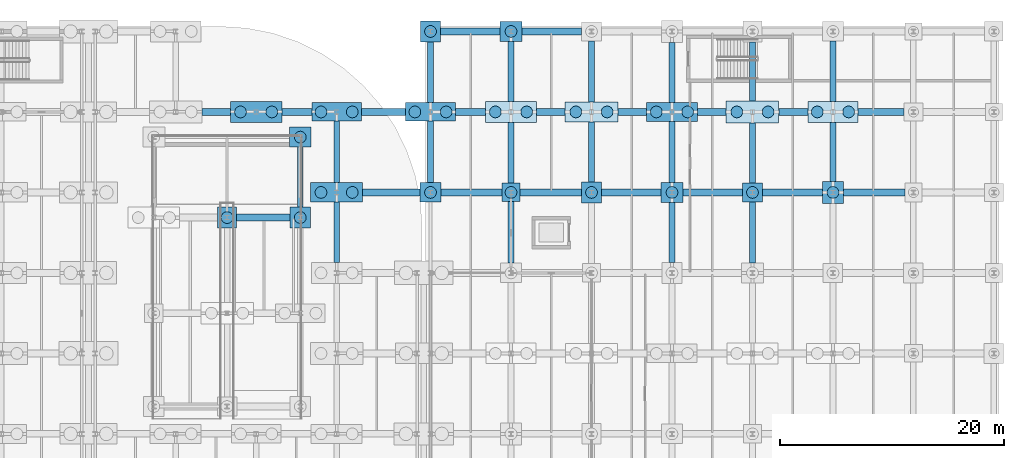
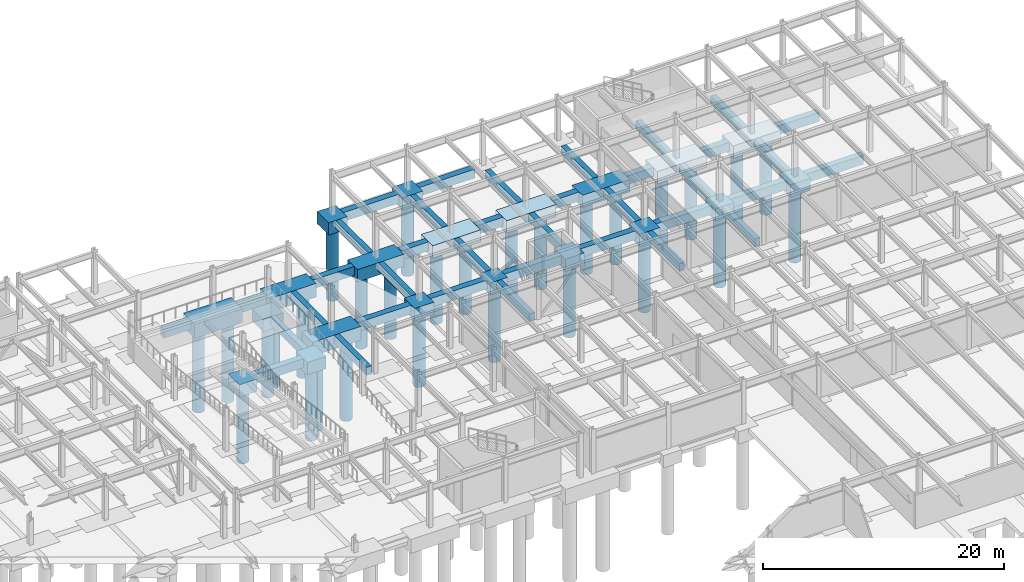
# One storey, part 13 of 54: 57 footings, 29 piles.
"""IFC4 building model written with IfcOpenShell, lengths in metres."""

from ifc_helpers import new_model, si_unit, direction, frame, origin, origin_2d, place, context, subcontext, project, spatial, polyline, rectangle, circle, outline, extrude, material, material_profile, profile_set, type_object, element, save


model = new_model("IFC4")

# Units and contexts
model_context = context("Model", 3, precision=1e-05, world=origin(), true_north=direction((0.0, 1.0)))
body_context = subcontext(model_context, "Body", "Model", "MODEL_VIEW")
ifc_project = project(units=[si_unit("LENGTHUNIT", "METRE"), si_unit("AREAUNIT", "SQUARE_METRE"), si_unit("VOLUMEUNIT", "CUBIC_METRE"), si_unit("PLANEANGLEUNIT", "RADIAN"), si_unit("MASSUNIT", "GRAM", prefix="KILO")], contexts=[model_context])

# Site, building, storey
site_placement = place(None, origin())
site = spatial("IfcSite", under=ifc_project, at=site_placement, CompositionType="ELEMENT")
building_placement = place(site_placement, origin())
building = spatial("IfcBuilding", under=site, at=building_placement, Name="Vaelcorin Mobility Hub", CompositionType="ELEMENT")
storey_placement = place(building_placement, frame((0.0, 0.0, -4.5)))
storey = spatial("IfcBuildingStorey", under=building, at=storey_placement, Name="B1", CompositionType="ELEMENT", Elevation=-4.5)

# Footings
ifc_material = material(Name="Concrete f'c 40 MPa", Category="concrete")
footing_type_1 = type_object("IfcFootingType", Name="FB-500X800", PredefinedType="FOOTING_BEAM", material=ifc_material)
footing_1_placement = place(storey_placement, frame((0.0, 0.0, -0.800048828125)))
element("IfcFooting", 1, at=footing_1_placement, inside=storey, type_object=footing_type_1, Name="Foundation Tie Beam FB-Y-368", PredefinedType="FOOTING_BEAM", context=body_context, shape_type="SweptSolid", body=[
    extrude(outline(polyline([(144.949951171875, 99.324951171875), (145.449951171875, 99.324951171875), (145.449951171875, 104.72509765625), (144.949951171875, 104.72509765625), (144.949951171875, 99.324951171875)])), origin(), (0.0, 0.0, 1.0), 0.800048828125),
])
footing_2_placement = place(storey_placement, frame((0.0, 0.0, -0.800048828125)))
element("IfcFooting", 2, at=footing_2_placement, inside=storey, type_object=footing_type_1, Name="Foundation Tie Beam FB-Y-369", PredefinedType="FOOTING_BEAM", context=body_context, shape_type="SweptSolid", body=[
    extrude(outline(polyline([(144.949951171875, 106.47509765625), (145.449951171875, 106.47509765625), (145.449951171875, 111.97509765625), (144.949951171875, 111.97509765625), (144.949951171875, 106.47509765625)])), origin(), (0.0, 0.0, 1.0), 0.800048828125),
])
footing_3_placement = place(storey_placement, frame((0.0, 0.0, -0.800048828125)))
element("IfcFooting", 3, at=footing_3_placement, inside=storey, type_object=footing_type_1, Name="Foundation Tie Beam FB-Y-380", PredefinedType="FOOTING_BEAM", context=body_context, shape_type="SweptSolid", body=[
    extrude(outline(polyline([(153.35009765625, 106.47509765625), (153.85009765625, 106.47509765625), (153.85009765625, 111.97509765625), (153.35009765625, 111.97509765625), (153.35009765625, 106.47509765625)])), origin(), (0.0, 0.0, 1.0), 0.800048828125),
])
footing_4_placement = place(storey_placement, frame((0.0, 0.0, -0.800048828125)))
element("IfcFooting", 4, at=footing_4_placement, inside=storey, type_object=footing_type_1, Name="Foundation Tie Beam FB-Y-381", PredefinedType="FOOTING_BEAM", context=body_context, shape_type="SweptSolid", body=[
    extrude(outline(polyline([(153.35009765625, 113.625), (153.85009765625, 113.625), (153.85009765625, 119.050048828125), (153.35009765625, 119.050048828125), (153.35009765625, 113.625)])), origin(), (0.0, 0.0, 1.0), 0.800048828125),
])
footing_5_placement = place(storey_placement, frame((0.0, 0.0, -0.800048828125)))
element("IfcFooting", 5, at=footing_5_placement, inside=storey, type_object=footing_type_1, Name="Foundation Tie Beam FB-Y-392", PredefinedType="FOOTING_BEAM", context=body_context, shape_type="SweptSolid", body=[
    extrude(outline(polyline([(160.550048828125, 99.27490234375), (161.050048828125, 99.27490234375), (161.050048828125, 104.77490234375), (160.550048828125, 104.77490234375), (160.550048828125, 99.27490234375)])), origin(), (0.0, 0.0, 1.0), 0.800048828125),
])
footing_6_placement = place(storey_placement, frame((0.0, 0.0, -0.800048828125)))
element("IfcFooting", 6, at=footing_6_placement, inside=storey, type_object=footing_type_1, Name="Foundation Tie Beam FB-Y-393", PredefinedType="FOOTING_BEAM", context=body_context, shape_type="SweptSolid", body=[
    extrude(outline(polyline([(160.550048828125, 106.425048828125), (161.050048828125, 106.425048828125), (161.050048828125, 111.85009765625), (160.550048828125, 111.85009765625), (160.550048828125, 106.425048828125)])), origin(), (0.0, 0.0, 1.0), 0.800048828125),
])
footing_7_placement = place(storey_placement, frame((0.0, 0.0, -0.800048828125)))
element("IfcFooting", 7, at=footing_7_placement, inside=storey, type_object=footing_type_1, Name="Foundation Tie Beam FB-Y-394", PredefinedType="FOOTING_BEAM", context=body_context, shape_type="SweptSolid", body=[
    extrude(outline(polyline([(160.550048828125, 113.75), (161.050048828125, 113.75), (161.050048828125, 119.10009765625), (160.550048828125, 119.10009765625), (160.550048828125, 113.75)])), origin(), (0.0, 0.0, 1.0), 0.800048828125),
])
footing_8_placement = place(storey_placement, frame((0.0, 0.0, -0.800048828125)))
element("IfcFooting", 8, at=footing_8_placement, inside=storey, type_object=footing_type_1, Name="Foundation Tie Beam FB-Y-406", PredefinedType="FOOTING_BEAM", context=body_context, shape_type="SweptSolid", body=[
    extrude(outline(polyline([(167.75, 106.550048828125), (168.25, 106.550048828125), (168.25, 111.89990234375), (167.75, 111.89990234375), (167.75, 106.550048828125)])), origin(), (0.0, 0.0, 1.0), 0.800048828125),
])
footing_9_placement = place(storey_placement, frame((0.0, 0.0, -0.800048828125)))
element("IfcFooting", 9, at=footing_9_placement, inside=storey, type_object=footing_type_1, Name="Foundation Tie Beam FB-Y-407", PredefinedType="FOOTING_BEAM", context=body_context, shape_type="SweptSolid", body=[
    extrude(outline(polyline([(167.75, 113.699951171875), (168.25, 113.699951171875), (168.25, 119.14990234375), (167.75, 119.14990234375), (167.75, 113.699951171875)])), origin(), (0.0, 0.0, 1.0), 0.800048828125),
])
footing_10_placement = place(storey_placement, frame((0.0, 0.0, -0.800048828125)))
element("IfcFooting", 10, at=footing_10_placement, inside=storey, type_object=footing_type_1, Name="Foundation Tie Beam FB-Y-418", PredefinedType="FOOTING_BEAM", context=body_context, shape_type="SweptSolid", body=[
    extrude(outline(polyline([(174.949951171875, 99.35009765625), (175.449951171875, 99.35009765625), (175.449951171875, 104.699951171875), (174.949951171875, 104.699951171875), (174.949951171875, 99.35009765625)])), origin(), (0.0, 0.0, 1.0), 0.800048828125),
])
footing_11_placement = place(storey_placement, frame((0.0, 0.0, -0.800048828125)))
element("IfcFooting", 11, at=footing_11_placement, inside=storey, type_object=footing_type_1, Name="Foundation Tie Beam FB-Y-419", PredefinedType="FOOTING_BEAM", context=body_context, shape_type="SweptSolid", body=[
    extrude(outline(polyline([(174.949951171875, 106.5), (175.449951171875, 106.5), (175.449951171875, 111.949951171875), (174.949951171875, 111.949951171875), (174.949951171875, 106.5)])), origin(), (0.0, 0.0, 1.0), 0.800048828125),
])
footing_12_placement = place(storey_placement, frame((0.0, 0.0, -0.800048828125)))
element("IfcFooting", 12, at=footing_12_placement, inside=storey, type_object=footing_type_1, Name="Foundation Tie Beam FB-Y-420", PredefinedType="FOOTING_BEAM", context=body_context, shape_type="SweptSolid", body=[
    extrude(outline(polyline([(174.949951171875, 113.64990234375), (175.449951171875, 113.64990234375), (175.449951171875, 119.02490234375), (174.949951171875, 119.02490234375), (174.949951171875, 113.64990234375)])), origin(), (0.0, 0.0, 1.0), 0.800048828125),
])
footing_13_placement = place(storey_placement, frame((0.0, 0.0, -0.800048828125)))
element("IfcFooting", 13, at=footing_13_placement, inside=storey, type_object=footing_type_1, Name="Foundation Tie Beam FB-Y-431", PredefinedType="FOOTING_BEAM", context=body_context, shape_type="SweptSolid", body=[
    extrude(outline(polyline([(182.14990234375, 99.300048828125), (182.64990234375, 99.300048828125), (182.64990234375, 104.75), (182.14990234375, 104.75), (182.14990234375, 99.300048828125)])), origin(), (0.0, 0.0, 1.0), 0.800048828125),
])
footing_14_placement = place(storey_placement, frame((0.0, 0.0, -0.800048828125)))
element("IfcFooting", 14, at=footing_14_placement, inside=storey, type_object=footing_type_1, Name="Foundation Tie Beam FB-Y-432", PredefinedType="FOOTING_BEAM", context=body_context, shape_type="SweptSolid", body=[
    extrude(outline(polyline([(182.14990234375, 106.449951171875), (182.64990234375, 106.449951171875), (182.64990234375, 111.824951171875), (182.14990234375, 111.824951171875), (182.14990234375, 106.449951171875)])), origin(), (0.0, 0.0, 1.0), 0.800048828125),
])
footing_15_placement = place(storey_placement, frame((0.0, 0.0, -0.800048828125)))
element("IfcFooting", 15, at=footing_15_placement, inside=storey, type_object=footing_type_1, Name="Foundation Tie Beam FB-Y-433", PredefinedType="FOOTING_BEAM", context=body_context, shape_type="SweptSolid", body=[
    extrude(outline(polyline([(182.14990234375, 113.77490234375), (182.64990234375, 113.77490234375), (182.64990234375, 119.074951171875), (182.14990234375, 119.074951171875), (182.14990234375, 113.77490234375)])), origin(), (0.0, 0.0, 1.0), 0.800048828125),
])
footing_16_placement = place(storey_placement, frame((0.0, 0.0, -0.800048828125)))
element("IfcFooting", 16, at=footing_16_placement, inside=storey, type_object=footing_type_1, Name="Foundation Tie Beam FB-Y-445", PredefinedType="FOOTING_BEAM", context=body_context, shape_type="SweptSolid", body=[
    extrude(outline(polyline([(189.35009765625, 106.574951171875), (189.85009765625, 106.574951171875), (189.85009765625, 111.875), (189.35009765625, 111.875), (189.35009765625, 106.574951171875)])), origin(), (0.0, 0.0, 1.0), 0.800048828125),
])
footing_17_placement = place(storey_placement, frame((0.0, 0.0, -0.800048828125)))
element("IfcFooting", 17, at=footing_17_placement, inside=storey, type_object=footing_type_1, Name="Foundation Tie Beam FB-Y-446", PredefinedType="FOOTING_BEAM", context=body_context, shape_type="SweptSolid", body=[
    extrude(outline(polyline([(189.35009765625, 113.72509765625), (189.85009765625, 113.72509765625), (189.85009765625, 119.125), (189.35009765625, 119.125), (189.35009765625, 113.72509765625)])), origin(), (0.0, 0.0, 1.0), 0.800048828125),
])
footing_18_placement = place(storey_placement, frame((0.0, 0.0, -0.800048828125)))
element("IfcFooting", 18, at=footing_18_placement, inside=storey, type_object=footing_type_1, Name="Foundation Tie Beam FB-Y-488", PredefinedType="FOOTING_BEAM", context=body_context, shape_type="SweptSolid", body=[
    extrude(outline(polyline([(141.699951171875, 104.300048828125), (142.199951171875, 104.300048828125), (142.199951171875, 109.64990234375), (141.699951171875, 109.64990234375), (141.699951171875, 104.300048828125)])), origin(), (0.0, 0.0, 1.0), 0.800048828125),
])
footing_type_2 = type_object("IfcFootingType", Name="FB-600X900", PredefinedType="FOOTING_BEAM", material=ifc_material)
footing_19_placement = place(storey_placement, frame((0.0, 0.0, -0.89990234375)))
element("IfcFooting", 19, at=footing_19_placement, inside=storey, type_object=footing_type_2, Name="Foundation Tie Beam FB-X-109", PredefinedType="FOOTING_BEAM", context=body_context, shape_type="SweptSolid", body=[
    extrude(outline(polyline([(147.52490234375, 105.300048828125), (152.675048828125, 105.300048828125), (152.675048828125, 105.89990234375), (147.52490234375, 105.89990234375), (147.52490234375, 105.300048828125)])), origin(), (0.0, 0.0, 1.0), 0.89990234375),
])
footing_20_placement = place(storey_placement, frame((0.0, 0.0, -0.89990234375)))
element("IfcFooting", 20, at=footing_20_placement, inside=storey, type_object=footing_type_2, Name="Foundation Tie Beam FB-X-110", PredefinedType="FOOTING_BEAM", context=body_context, shape_type="SweptSolid", body=[
    extrude(outline(polyline([(154.52490234375, 105.300048828125), (159.97509765625, 105.300048828125), (159.97509765625, 105.89990234375), (154.52490234375, 105.89990234375), (154.52490234375, 105.300048828125)])), origin(), (0.0, 0.0, 1.0), 0.89990234375),
])
footing_21_placement = place(storey_placement, frame((0.0, 0.0, -0.89990234375)))
element("IfcFooting", 21, at=footing_21_placement, inside=storey, type_object=footing_type_2, Name="Foundation Tie Beam FB-X-111", PredefinedType="FOOTING_BEAM", context=body_context, shape_type="SweptSolid", body=[
    extrude(outline(polyline([(161.625, 105.300048828125), (167.10009765625, 105.300048828125), (167.10009765625, 105.89990234375), (161.625, 105.89990234375), (161.625, 105.300048828125)])), origin(), (0.0, 0.0, 1.0), 0.89990234375),
])
footing_22_placement = place(storey_placement, frame((0.0, 0.0, -0.89990234375)))
element("IfcFooting", 22, at=footing_22_placement, inside=storey, type_object=footing_type_2, Name="Foundation Tie Beam FB-X-112", PredefinedType="FOOTING_BEAM", context=body_context, shape_type="SweptSolid", body=[
    extrude(outline(polyline([(168.89990234375, 105.300048828125), (174.22509765625, 105.300048828125), (174.22509765625, 105.89990234375), (168.89990234375, 105.89990234375), (168.89990234375, 105.300048828125)])), origin(), (0.0, 0.0, 1.0), 0.89990234375),
])
footing_23_placement = place(storey_placement, frame((0.0, 0.0, -0.89990234375)))
element("IfcFooting", 23, at=footing_23_placement, inside=storey, type_object=footing_type_2, Name="Foundation Tie Beam FB-X-113", PredefinedType="FOOTING_BEAM", context=body_context, shape_type="SweptSolid", body=[
    extrude(outline(polyline([(176.175048828125, 105.300048828125), (181.52490234375, 105.300048828125), (181.52490234375, 105.89990234375), (176.175048828125, 105.89990234375), (176.175048828125, 105.300048828125)])), origin(), (0.0, 0.0, 1.0), 0.89990234375),
])
footing_24_placement = place(storey_placement, frame((0.0, 0.0, -0.89990234375)))
element("IfcFooting", 24, at=footing_24_placement, inside=storey, type_object=footing_type_2, Name="Foundation Tie Beam FB-X-114", PredefinedType="FOOTING_BEAM", context=body_context, shape_type="SweptSolid", body=[
    extrude(outline(polyline([(183.27490234375, 105.300048828125), (188.64990234375, 105.300048828125), (188.64990234375, 105.89990234375), (183.27490234375, 105.89990234375), (183.27490234375, 105.300048828125)])), origin(), (0.0, 0.0, 1.0), 0.89990234375),
])
footing_25_placement = place(storey_placement, frame((0.0, 0.0, -0.89990234375)))
element("IfcFooting", 25, at=footing_25_placement, inside=storey, type_object=footing_type_2, Name="Foundation Tie Beam FB-X-115", PredefinedType="FOOTING_BEAM", context=body_context, shape_type="SweptSolid", body=[
    extrude(outline(polyline([(190.550048828125, 105.300048828125), (196.02490234375, 105.300048828125), (196.02490234375, 105.89990234375), (190.550048828125, 105.89990234375), (190.550048828125, 105.300048828125)])), origin(), (0.0, 0.0, 1.0), 0.89990234375),
])
footing_26_placement = place(storey_placement, frame((0.0, 0.0, -0.89990234375)))
element("IfcFooting", 26, at=footing_26_placement, inside=storey, type_object=footing_type_2, Name="Foundation Tie Beam FB-X-133", PredefinedType="FOOTING_BEAM", context=body_context, shape_type="SweptSolid", body=[
    extrude(outline(polyline([(133.14990234375, 112.5), (135.699951171875, 112.5), (135.699951171875, 113.10009765625), (133.14990234375, 113.10009765625), (133.14990234375, 112.5)])), origin(), (0.0, 0.0, 1.0), 0.89990234375),
])
footing_27_placement = place(storey_placement, frame((0.0, 0.0, -0.89990234375)))
element("IfcFooting", 27, at=footing_27_placement, inside=storey, type_object=footing_type_2, Name="Foundation Tie Beam FB-X-134", PredefinedType="FOOTING_BEAM", context=body_context, shape_type="SweptSolid", body=[
    extrude(outline(polyline([(140.300048828125, 112.5), (142.97509765625, 112.5), (142.97509765625, 113.10009765625), (140.300048828125, 113.10009765625), (140.300048828125, 112.5)])), origin(), (0.0, 0.0, 1.0), 0.89990234375),
])
footing_28_placement = place(storey_placement, frame((0.0, 0.0, -0.89990234375)))
element("IfcFooting", 28, at=footing_28_placement, inside=storey, type_object=footing_type_2, Name="Foundation Tie Beam FB-X-135", PredefinedType="FOOTING_BEAM", context=body_context, shape_type="SweptSolid", body=[
    extrude(outline(polyline([(147.425048828125, 112.5), (151.375, 112.5), (151.375, 113.10009765625), (147.425048828125, 113.10009765625), (147.425048828125, 112.5)])), origin(), (0.0, 0.0, 1.0), 0.89990234375),
])
footing_29_placement = place(storey_placement, frame((0.0, 0.0, -0.89990234375)))
element("IfcFooting", 29, at=footing_29_placement, inside=storey, type_object=footing_type_2, Name="Foundation Tie Beam FB-X-136", PredefinedType="FOOTING_BEAM", context=body_context, shape_type="SweptSolid", body=[
    extrude(outline(polyline([(155.824951171875, 112.5), (158.5, 112.5), (158.5, 113.10009765625), (155.824951171875, 113.10009765625), (155.824951171875, 112.5)])), origin(), (0.0, 0.0, 1.0), 0.89990234375),
])
footing_30_placement = place(storey_placement, frame((0.0, 0.0, -0.89990234375)))
element("IfcFooting", 30, at=footing_30_placement, inside=storey, type_object=footing_type_2, Name="Foundation Tie Beam FB-X-137", PredefinedType="FOOTING_BEAM", context=body_context, shape_type="SweptSolid", body=[
    extrude(outline(polyline([(163.10009765625, 112.5), (165.625, 112.5), (165.625, 113.10009765625), (163.10009765625, 113.10009765625), (163.10009765625, 112.5)])), origin(), (0.0, 0.0, 1.0), 0.89990234375),
])
footing_31_placement = place(storey_placement, frame((0.0, 0.0, -0.89990234375)))
element("IfcFooting", 31, at=footing_31_placement, inside=storey, type_object=footing_type_2, Name="Foundation Tie Beam FB-X-138", PredefinedType="FOOTING_BEAM", context=body_context, shape_type="SweptSolid", body=[
    extrude(outline(polyline([(170.375, 112.5), (172.925048828125, 112.5), (172.925048828125, 113.10009765625), (170.375, 113.10009765625), (170.375, 112.5)])), origin(), (0.0, 0.0, 1.0), 0.89990234375),
])
footing_32_placement = place(storey_placement, frame((0.0, 0.0, -0.89990234375)))
element("IfcFooting", 32, at=footing_32_placement, inside=storey, type_object=footing_type_2, Name="Foundation Tie Beam FB-X-139", PredefinedType="FOOTING_BEAM", context=body_context, shape_type="SweptSolid", body=[
    extrude(outline(polyline([(177.47509765625, 112.5), (180.050048828125, 112.5), (180.050048828125, 113.10009765625), (177.47509765625, 113.10009765625), (177.47509765625, 112.5)])), origin(), (0.0, 0.0, 1.0), 0.89990234375),
])
footing_33_placement = place(storey_placement, frame((0.0, 0.0, -0.89990234375)))
element("IfcFooting", 33, at=footing_33_placement, inside=storey, type_object=footing_type_2, Name="Foundation Tie Beam FB-X-140", PredefinedType="FOOTING_BEAM", context=body_context, shape_type="SweptSolid", body=[
    extrude(outline(polyline([(184.75, 112.5), (187.35009765625, 112.5), (187.35009765625, 113.10009765625), (184.75, 113.10009765625), (184.75, 112.5)])), origin(), (0.0, 0.0, 1.0), 0.89990234375),
])
footing_34_placement = place(storey_placement, frame((0.0, 0.0, -0.89990234375)))
element("IfcFooting", 34, at=footing_34_placement, inside=storey, type_object=footing_type_2, Name="Foundation Tie Beam FB-X-141", PredefinedType="FOOTING_BEAM", context=body_context, shape_type="SweptSolid", body=[
    extrude(outline(polyline([(191.85009765625, 112.5), (195.949951171875, 112.5), (195.949951171875, 113.10009765625), (191.85009765625, 113.10009765625), (191.85009765625, 112.5)])), origin(), (0.0, 0.0, 1.0), 0.89990234375),
])
footing_35_placement = place(storey_placement, frame((0.0, 0.0, -0.89990234375)))
element("IfcFooting", 35, at=footing_35_placement, inside=storey, type_object=footing_type_2, Name="Foundation Tie Beam FB-X-157", PredefinedType="FOOTING_BEAM", context=body_context, shape_type="SweptSolid", body=[
    extrude(outline(polyline([(154.5, 119.699951171875), (159.824951171875, 119.699951171875), (159.824951171875, 120.300048828125), (154.5, 120.300048828125), (154.5, 119.699951171875)])), origin(), (0.0, 0.0, 1.0), 0.89990234375),
])
footing_36_placement = place(storey_placement, frame((0.0, 0.0, -0.89990234375)))
element("IfcFooting", 36, at=footing_36_placement, inside=storey, type_object=footing_type_2, Name="Foundation Tie Beam FB-X-158", PredefinedType="FOOTING_BEAM", context=body_context, shape_type="SweptSolid", body=[
    extrude(outline(polyline([(161.77490234375, 119.699951171875), (167.125, 119.699951171875), (167.125, 120.300048828125), (161.77490234375, 120.300048828125), (161.77490234375, 119.699951171875)])), origin(), (0.0, 0.0, 1.0), 0.89990234375),
])
footing_37_placement = place(storey_placement, frame((0.0, 0.0, -0.89990234375)))
element("IfcFooting", 37, at=footing_37_placement, inside=storey, type_object=footing_type_2, Name="Foundation Tie Beam FB-X-261", PredefinedType="FOOTING_BEAM", context=body_context, shape_type="SweptSolid", body=[
    extrude(outline(polyline([(136.25, 103.050048828125), (141.050048828125, 103.050048828125), (141.050048828125, 103.64990234375), (136.25, 103.64990234375), (136.25, 103.050048828125)])), origin(), (0.0, 0.0, 1.0), 0.89990234375),
])
footing_type_3 = type_object("IfcFootingType", Name="FTG-PC-01", PredefinedType="PILE_CAP", material=ifc_material)
footing_38_placement = place(storey_placement, frame((138.0, 112.800048828125, -1.39990234375), z_axis=(0.0, 0.0, 1.0), x_axis=(1.0, 0.0, 0.0)))
element("IfcFooting", 38, at=footing_38_placement, inside=storey, type_object=footing_type_3, Name="Pile Cap PC-01 148", PredefinedType="PILE_CAP", context=body_context, shape_type="SweptSolid", body=[
    extrude(rectangle(XDim=4.60009765625, YDim=1.89990234375, at=origin_2d()), origin(), (0.0, 0.0, 1.0), 1.39990234375),
])
footing_type_4 = type_object("IfcFootingType", Name="FTG-PC-06", PredefinedType="PILE_CAP", material=ifc_material)
footing_39_placement = place(storey_placement, frame((145.199951171875, 105.60009765625, -1.39990234375), z_axis=(0.0, 0.0, 1.0), x_axis=(1.0, 0.0, 0.0)))
element("IfcFooting", 39, at=footing_39_placement, inside=storey, type_object=footing_type_4, Name="Pile Cap PC-06 153", PredefinedType="PILE_CAP", context=body_context, shape_type="SweptSolid", body=[
    extrude(rectangle(XDim=4.64990234375, YDim=1.75, at=origin_2d()), origin(), (0.0, 0.0, 1.0), 1.39990234375),
])
footing_type_5 = type_object("IfcFootingType", Name="FTG-PC-07", PredefinedType="PILE_CAP", material=ifc_material)
footing_40_placement = place(storey_placement, frame((145.199951171875, 112.800048828125, -1.39990234375), z_axis=(0.0, 0.0, 1.0), x_axis=(1.0, 0.0, 0.0)))
element("IfcFooting", 40, at=footing_40_placement, inside=storey, type_object=footing_type_5, Name="Pile Cap PC-07 154", PredefinedType="PILE_CAP", context=body_context, shape_type="SweptSolid", body=[
    extrude(rectangle(XDim=4.449951171875, YDim=1.64990234375, at=origin_2d()), origin(), (0.0, 0.0, 1.0), 1.39990234375),
])
footing_type_6 = type_object("IfcFootingType", Name="FTG-PC-21", PredefinedType="PILE_CAP", material=ifc_material)
footing_41_placement = place(storey_placement, frame((182.39990234375, 105.60009765625, -1.25), z_axis=(0.0, 0.0, 1.0), x_axis=(1.0, 0.0, 0.0)))
element("IfcFooting", 41, at=footing_41_placement, inside=storey, type_object=footing_type_6, Name="Pile Cap PC-21 227", PredefinedType="PILE_CAP", context=body_context, shape_type="SweptSolid", body=[
    extrude(rectangle(XDim=1.75, YDim=1.699951171875, at=origin_2d()), origin(), (0.0, 0.0, 1.0), 1.25),
])
footing_type_7 = type_object("IfcFootingType", Name="FTG-PC-23", PredefinedType="PILE_CAP", material=ifc_material)
footing_42_placement = place(storey_placement, frame((153.60009765625, 105.60009765625, -1.25), z_axis=(0.0, 0.0, 1.0), x_axis=(1.0, 0.0, 0.0)))
element("IfcFooting", 42, at=footing_42_placement, inside=storey, type_object=footing_type_7, Name="Pile Cap PC-23 167", PredefinedType="PILE_CAP", context=body_context, shape_type="SweptSolid", body=[
    extrude(rectangle(XDim=1.85009765625, YDim=1.75, at=origin_2d()), origin(), (0.0, 0.0, 1.0), 1.25),
])
footing_type_8 = type_object("IfcFootingType", Name="FTG-PC-24", PredefinedType="PILE_CAP", material=ifc_material)
footing_43_placement = place(storey_placement, frame((168.0, 112.800048828125, -1.25), z_axis=(0.0, 0.0, 1.0), x_axis=(1.0, 0.0, 0.0)))
element("IfcFooting", 43, at=footing_43_placement, inside=storey, type_object=footing_type_8, Name="Pile Cap PC-24 198", PredefinedType="PILE_CAP", context=body_context, shape_type="SweptSolid", body=[
    extrude(rectangle(XDim=4.75, YDim=1.800048828125, at=origin_2d()), origin(), (0.0, 0.0, 1.0), 1.25),
])
footing_type_9 = type_object("IfcFootingType", Name="FTG-PC-25", PredefinedType="PILE_CAP", material=ifc_material)
footing_44_placement = place(storey_placement, frame((135.39990234375, 103.35009765625, -1.25), z_axis=(0.0, 0.0, 1.0), x_axis=(1.0, 0.0, 0.0)))
element("IfcFooting", 44, at=footing_44_placement, inside=storey, type_object=footing_type_9, Name="Pile Cap PC-25 292", PredefinedType="PILE_CAP", context=body_context, shape_type="SweptSolid", body=[
    extrude(rectangle(XDim=1.699951171875, YDim=1.85009765625, at=origin_2d()), origin(), (0.0, 0.0, 1.0), 1.25),
])
footing_type_10 = type_object("IfcFootingType", Name="FTG-PC-26", PredefinedType="PILE_CAP", material=ifc_material)
for number, where, z_axis, x_axis, name in (
    (45, (153.60009765625, 120.0, -1.25), (0.0, 0.0, 1.0), (1.0, 0.0, 0.0), "Pile Cap PC-26 169"),
    (46, (168.0, 105.60009765625, -1.25), (0.0, 0.0, 1.0), (1.0, 0.0, 0.0), "Pile Cap PC-26 197"),
    (47, (141.949951171875, 103.35009765625, -1.25), (0.0, 0.0, 1.0), (1.0, 0.0, 0.0), "Pile Cap PC-26 295"),
):
    element("IfcFooting", number, at=place(storey_placement, frame(where, z_axis=z_axis, x_axis=x_axis)), inside=storey, type_object=footing_type_10, Name=name, PredefinedType="PILE_CAP", context=body_context, shape_type="SweptSolid", body=[
        extrude(rectangle(XDim=1.800048828125, YDim=1.89990234375, at=origin_2d()), origin(), (0.0, 0.0, 1.0), 1.25),
    ])
footing_type_11 = type_object("IfcFootingType", Name="FTG-PC-27", PredefinedType="PILE_CAP", material=ifc_material)
footing_45_placement = place(storey_placement, frame((182.39990234375, 112.800048828125, -1.25), z_axis=(0.0, 0.0, 1.0), x_axis=(1.0, 0.0, 0.0)))
element("IfcFooting", 48, at=footing_45_placement, inside=storey, type_object=footing_type_11, Name="Pile Cap PC-27 228", PredefinedType="PILE_CAP", context=body_context, shape_type="SweptSolid", body=[
    extrude(rectangle(XDim=4.699951171875, YDim=1.949951171875, at=origin_2d()), origin(), (0.0, 0.0, 1.0), 1.25),
])
footing_type_12 = type_object("IfcFootingType", Name="FTG-PC-28", PredefinedType="PILE_CAP", material=ifc_material)
footing_46_placement = place(storey_placement, frame((160.800048828125, 105.60009765625, -1.25), z_axis=(0.0, 0.0, 1.0), x_axis=(1.0, 0.0, 0.0)))
element("IfcFooting", 49, at=footing_46_placement, inside=storey, type_object=footing_type_12, Name="Pile Cap PC-28 182", PredefinedType="PILE_CAP", context=body_context, shape_type="SweptSolid", body=[
    extrude(rectangle(XDim=1.64990234375, YDim=1.64990234375, at=origin_2d()), origin(), (0.0, 0.0, 1.0), 1.25),
])
footing_type_13 = type_object("IfcFootingType", Name="FTG-PC-30", PredefinedType="PILE_CAP", material=ifc_material)
for number, where, z_axis, x_axis, name in (
    (50, (160.800048828125, 120.0, -1.25), (0.0, 0.0, 1.0), (1.0, 0.0, 0.0), "Pile Cap PC-30 184"),
    (51, (175.199951171875, 105.60009765625, -1.25), (0.0, 0.0, 1.0), (1.0, 0.0, 0.0), "Pile Cap PC-30 212"),
    (52, (141.949951171875, 110.550048828125, -1.25), (0.0, 0.0, 1.0), (1.0, 0.0, 0.0), "Pile Cap PC-30 296"),
):
    element("IfcFooting", number, at=place(storey_placement, frame(where, z_axis=z_axis, x_axis=x_axis)), inside=storey, type_object=footing_type_13, Name=name, PredefinedType="PILE_CAP", context=body_context, shape_type="SweptSolid", body=[
        extrude(rectangle(XDim=1.949951171875, YDim=1.800048828125, at=origin_2d()), origin(), (0.0, 0.0, 1.0), 1.25),
    ])
footing_type_14 = type_object("IfcFootingType", Name="FTG-PC-31", PredefinedType="PILE_CAP", material=ifc_material)
footing_47_placement = place(storey_placement, frame((189.60009765625, 112.800048828125, -1.25), z_axis=(0.0, 0.0, 1.0), x_axis=(1.0, 0.0, 0.0)))
element("IfcFooting", 53, at=footing_47_placement, inside=storey, type_object=footing_type_14, Name="Pile Cap PC-31 243", PredefinedType="PILE_CAP", context=body_context, shape_type="SweptSolid", body=[
    extrude(rectangle(XDim=4.5, YDim=1.85009765625, at=origin_2d()), origin(), (0.0, 0.0, 1.0), 1.25),
])
footing_type_15 = type_object("IfcFootingType", Name="FTG-PC-32", PredefinedType="PILE_CAP", material=ifc_material)
footing_48_placement = place(storey_placement, frame((160.800048828125, 112.800048828125, -1.25), z_axis=(0.0, 0.0, 1.0), x_axis=(1.0, 0.0, 0.0)))
element("IfcFooting", 54, at=footing_48_placement, inside=storey, type_object=footing_type_15, Name="Pile Cap PC-32 183", PredefinedType="PILE_CAP", context=body_context, shape_type="SweptSolid", body=[
    extrude(rectangle(XDim=4.60009765625, YDim=1.89990234375, at=origin_2d()), origin(), (0.0, 0.0, 1.0), 1.25),
])
footing_type_16 = type_object("IfcFootingType", Name="FTG-PC-33", PredefinedType="PILE_CAP", material=ifc_material)
footing_49_placement = place(storey_placement, frame((153.60009765625, 112.800048828125, -1.25), z_axis=(0.0, 0.0, 1.0), x_axis=(1.0, 0.0, 0.0)))
element("IfcFooting", 55, at=footing_49_placement, inside=storey, type_object=footing_type_16, Name="Pile Cap PC-33 168", PredefinedType="PILE_CAP", context=body_context, shape_type="SweptSolid", body=[
    extrude(rectangle(XDim=4.449951171875, YDim=1.64990234375, at=origin_2d()), origin(), (0.0, 0.0, 1.0), 1.25),
])
footing_type_17 = type_object("IfcFootingType", Name="FTG-PC-34", PredefinedType="PILE_CAP", material=ifc_material)
footing_50_placement = place(storey_placement, frame((175.199951171875, 112.800048828125, -1.25), z_axis=(0.0, 0.0, 1.0), x_axis=(1.0, 0.0, 0.0)))
element("IfcFooting", 56, at=footing_50_placement, inside=storey, type_object=footing_type_17, Name="Pile Cap PC-34 213", PredefinedType="PILE_CAP", context=body_context, shape_type="SweptSolid", body=[
    extrude(rectangle(XDim=4.550048828125, YDim=1.699951171875, at=origin_2d()), origin(), (0.0, 0.0, 1.0), 1.25),
])
footing_type_18 = type_object("IfcFootingType", Name="FTG-PC-35", PredefinedType="PILE_CAP", material=ifc_material)
footing_51_placement = place(storey_placement, frame((189.60009765625, 105.60009765625, -1.25), z_axis=(0.0, 0.0, 1.0), x_axis=(1.0, 0.0, 0.0)))
element("IfcFooting", 57, at=footing_51_placement, inside=storey, type_object=footing_type_18, Name="Pile Cap PC-35 242", PredefinedType="PILE_CAP", context=body_context, shape_type="SweptSolid", body=[
    extrude(rectangle(XDim=1.89990234375, YDim=1.949951171875, at=origin_2d()), origin(), (0.0, 0.0, 1.0), 1.25),
])

# Piles
ifc_material_profile = material_profile(ifc_material, circle(Radius=0.52490234375, at=origin_2d()), Name="BP-D1050")
ifc_profile_set = profile_set([ifc_material_profile], Name="Concrete f'c 40 MPa")
pile_type = type_object("IfcPileType", Name="PILE-D1050", PredefinedType="BORED", material=ifc_profile_set)
for number, where, z_axis, x_axis, name in (
    (58, (136.60009765625, 112.800048828125, -1.300048828125), (0.0, 0.0, -1.0), (1.0, 0.0, 0.0), "Bored Pile CAP-148-P1"),
    (59, (139.39990234375, 112.800048828125, -1.300048828125), (0.0, 0.0, -1.0), (1.0, 0.0, 0.0), "Bored Pile CAP-148-P2"),
    (60, (143.800048828125, 105.60009765625, -1.300048828125), (0.0, 0.0, -1.0), (1.0, 0.0, 0.0), "Bored Pile CAP-153-P1"),
    (61, (146.60009765625, 105.60009765625, -1.300048828125), (0.0, 0.0, -1.0), (1.0, 0.0, 0.0), "Bored Pile CAP-153-P2"),
    (62, (143.800048828125, 112.800048828125, -1.300048828125), (0.0, 0.0, -1.0), (1.0, 0.0, 0.0), "Bored Pile CAP-154-P1"),
    (63, (146.60009765625, 112.800048828125, -1.300048828125), (0.0, 0.0, -1.0), (1.0, 0.0, 0.0), "Bored Pile CAP-154-P2"),
):
    element("IfcPile", number, at=place(storey_placement, frame(where, z_axis=z_axis, x_axis=x_axis)), inside=storey, type_object=pile_type, Name=name, PredefinedType="BORED", context=body_context, shape_type="SweptSolid", body=[
        extrude(circle(Radius=0.52490234375, at=origin_2d()), origin(), (0.0, 0.0, 1.0), 8.199951171875),
    ])
for number, where, z_axis, x_axis, name in (
    (64, (153.60009765625, 105.60009765625, -1.14990234375), (0.0, 0.0, -1.0), (1.0, 0.0, 0.0), "Bored Pile CAP-167-P1"),
    (65, (152.199951171875, 112.800048828125, -1.14990234375), (0.0, 0.0, -1.0), (1.0, 0.0, 0.0), "Bored Pile CAP-168-P1"),
    (66, (155.0, 112.800048828125, -1.14990234375), (0.0, 0.0, -1.0), (1.0, 0.0, 0.0), "Bored Pile CAP-168-P2"),
    (67, (153.60009765625, 120.0, -1.14990234375), (0.0, 0.0, -1.0), (1.0, 0.0, 0.0), "Bored Pile CAP-169-P1"),
    (68, (160.800048828125, 105.60009765625, -1.14990234375), (0.0, 0.0, -1.0), (1.0, 0.0, 0.0), "Bored Pile CAP-182-P1"),
    (69, (159.39990234375, 112.800048828125, -1.14990234375), (0.0, 0.0, -1.0), (1.0, 0.0, 0.0), "Bored Pile CAP-183-P1"),
    (70, (162.199951171875, 112.800048828125, -1.14990234375), (0.0, 0.0, -1.0), (1.0, 0.0, 0.0), "Bored Pile CAP-183-P2"),
    (71, (160.800048828125, 120.0, -1.14990234375), (0.0, 0.0, -1.0), (1.0, 0.0, 0.0), "Bored Pile CAP-184-P1"),
    (72, (168.0, 105.60009765625, -1.14990234375), (0.0, 0.0, -1.0), (1.0, 0.0, 0.0), "Bored Pile CAP-197-P1"),
    (73, (166.60009765625, 112.800048828125, -1.14990234375), (0.0, 0.0, -1.0), (1.0, 0.0, 0.0), "Bored Pile CAP-198-P1"),
    (74, (169.39990234375, 112.800048828125, -1.14990234375), (0.0, 0.0, -1.0), (1.0, 0.0, 0.0), "Bored Pile CAP-198-P2"),
    (75, (175.199951171875, 105.60009765625, -1.14990234375), (0.0, 0.0, -1.0), (1.0, 0.0, 0.0), "Bored Pile CAP-212-P1"),
    (76, (173.800048828125, 112.800048828125, -1.14990234375), (0.0, 0.0, -1.0), (1.0, 0.0, 0.0), "Bored Pile CAP-213-P1"),
    (77, (176.60009765625, 112.800048828125, -1.14990234375), (0.0, 0.0, -1.0), (1.0, 0.0, 0.0), "Bored Pile CAP-213-P2"),
    (78, (182.39990234375, 105.60009765625, -1.14990234375), (0.0, 0.0, -1.0), (1.0, 0.0, 0.0), "Bored Pile CAP-227-P1"),
    (79, (181.0, 112.800048828125, -1.14990234375), (0.0, 0.0, -1.0), (1.0, 0.0, 0.0), "Bored Pile CAP-228-P1"),
    (80, (183.800048828125, 112.800048828125, -1.14990234375), (0.0, 0.0, -1.0), (1.0, 0.0, 0.0), "Bored Pile CAP-228-P2"),
    (81, (189.60009765625, 105.60009765625, -1.14990234375), (0.0, 0.0, -1.0), (1.0, 0.0, 0.0), "Bored Pile CAP-242-P1"),
    (82, (188.199951171875, 112.800048828125, -1.14990234375), (0.0, 0.0, -1.0), (1.0, 0.0, 0.0), "Bored Pile CAP-243-P1"),
    (83, (191.0, 112.800048828125, -1.14990234375), (0.0, 0.0, -1.0), (1.0, 0.0, 0.0), "Bored Pile CAP-243-P2"),
    (84, (135.39990234375, 103.35009765625, -1.14990234375), (0.0, 0.0, -1.0), (1.0, 0.0, 0.0), "Bored Pile CAP-292-P1"),
    (85, (141.949951171875, 103.35009765625, -1.14990234375), (0.0, 0.0, -1.0), (1.0, 0.0, 0.0), "Bored Pile CAP-295-P1"),
    (86, (141.949951171875, 110.550048828125, -1.14990234375), (0.0, 0.0, -1.0), (1.0, 0.0, 0.0), "Bored Pile CAP-296-P1"),
):
    element("IfcPile", number, at=place(storey_placement, frame(where, z_axis=z_axis, x_axis=x_axis)), inside=storey, type_object=pile_type, Name=name, PredefinedType="BORED", context=body_context, shape_type="SweptSolid", body=[
        extrude(circle(Radius=0.52490234375, at=origin_2d()), origin(), (0.0, 0.0, 1.0), 7.35009765625),
    ])

save(model, "model.ifc")
